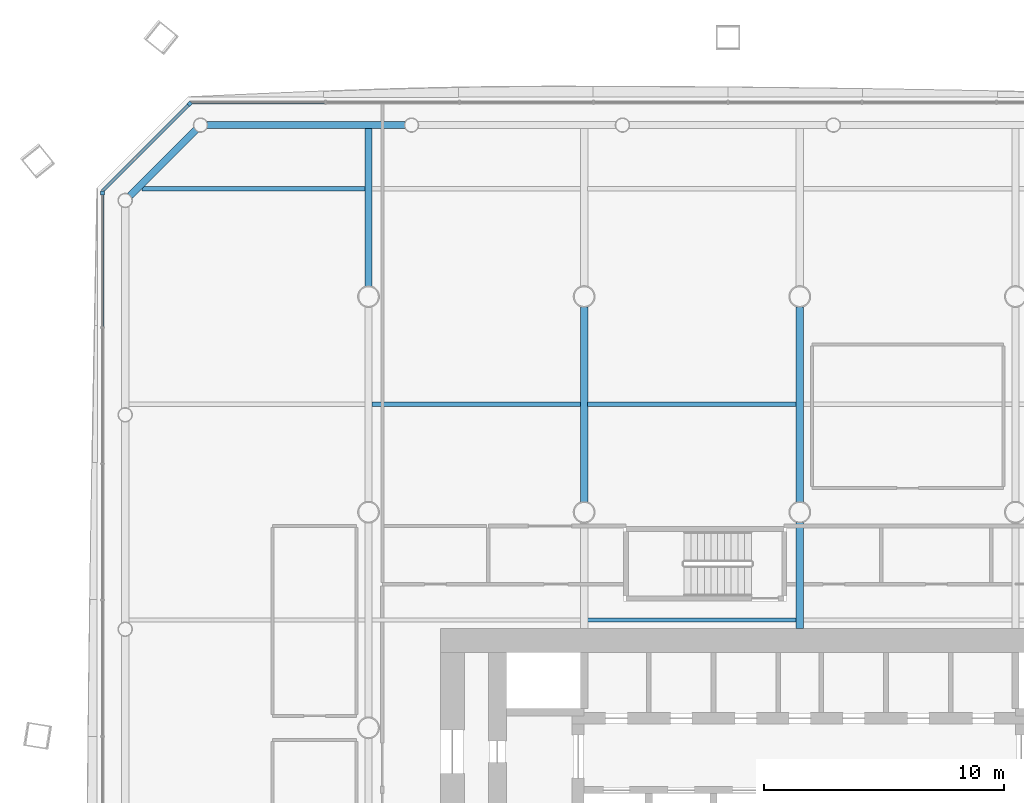
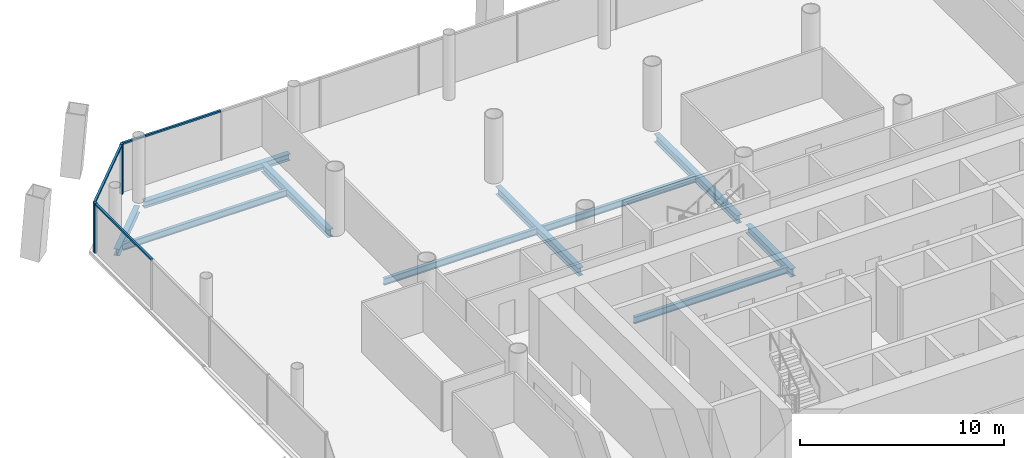
# One storey, part 8 of 20: 10 beams, 5 members, 3 elements without a shape of their own.
"""IFC4 building model written with IfcOpenShell, lengths in metres."""

import ifcopenshell
import ifcopenshell.guid

model = None  # the IFC model being written
_history = None  # IfcOwnerHistory: only IFC2X3 demands one
_inside = {}  # id of a spatial element -> (the spatial element, [elements in it])
_under = {}  # id of a project, library or spatial element -> (it, [spatial elements below it])
_declared = {}  # id of a project -> (the project, [libraries it declares])
_typed = {}  # id of a type object -> (the type object, [elements of that type])
_made_of = {}  # id of a material, layer set ... -> (it, [elements and type objects made of it])


def new_model(schema):
    """Start an empty IFC model of exactly this schema.

    Asked for "IFC4X3", IfcOpenShell would pick the latest addendum, in which some entities
    have other attributes; the version numbers below select the first issue.
    IFC2X3 requires an IfcOwnerHistory on every rooted entity: one is made here for all.
    """
    global model, _history
    if schema == "IFC4X3":
        model = ifcopenshell.file(schema_version=(4, 3, 0, 0))
    else:
        model = ifcopenshell.file(schema=schema)
    _inside.clear()
    _under.clear()
    _declared.clear()
    _typed.clear()
    _made_of.clear()
    _history = None
    if model.schema == "IFC2X3":
        org = make("IfcOrganization", Name="unknown")
        user = make(
            "IfcPersonAndOrganization",
            ThePerson=make("IfcPerson", FamilyName="unknown"),
            TheOrganization=org,
        )
        app = make(
            "IfcApplication",
            ApplicationDeveloper=org,
            Version="unknown",
            ApplicationFullName="unknown",
            ApplicationIdentifier="unknown",
        )
        _history = make(
            "IfcOwnerHistory",
            OwningUser=user,
            OwningApplication=app,
            ChangeAction="ADDED",
            CreationDate=0,
        )
    return model


def make(cls, **values):
    """One entity of the class cls with the attributes given. An attribute that is None is left unset."""
    return model.create_entity(
        cls, **{name: value for name, value in values.items() if value is not None}
    )


def rooted(cls, **values):
    """An entity with a GlobalId (a new one), such as an element, a storey or a relation."""
    return make(cls, GlobalId=ifcopenshell.guid.new(), OwnerHistory=_history, **values)


def si_unit(unit_type, name, prefix=None):
    """IfcSIUnit, for example si_unit("LENGTHUNIT", "METRE", prefix="MILLI")."""
    return make("IfcSIUnit", UnitType=unit_type, Prefix=prefix, Name=name)


def assignment(units):
    """IfcUnitAssignment: the units of a project."""
    return None if units is None else make("IfcUnitAssignment", Units=units)


def point(xyz):
    """IfcCartesianPoint."""
    return None if xyz is None else make("IfcCartesianPoint", Coordinates=xyz)


def direction(xyz):
    """IfcDirection."""
    return None if xyz is None else make("IfcDirection", DirectionRatios=xyz)


def frame(location, z_axis=None, x_axis=None):
    """IfcAxis2Placement3D, a coordinate frame: its origin and axes. An axis left out is left unset."""
    return make(
        "IfcAxis2Placement3D",
        Location=point(location),
        Axis=direction(z_axis),
        RefDirection=direction(x_axis),
    )


def frame_2d(location, x_axis=None):
    """IfcAxis2Placement2D, a coordinate frame in the plane: its origin and x axis."""
    return make(
        "IfcAxis2Placement2D", Location=point(location), RefDirection=direction(x_axis)
    )


def origin():
    """The frame at (0, 0, 0) with its axes left unset."""
    return frame((0.0, 0.0, 0.0))


def origin_2d():
    """The frame at (0, 0) in the plane with its x axis left unset."""
    return frame_2d((0.0, 0.0))


def place(relative_to, where):
    """IfcLocalPlacement: puts the frame where relative to a parent placement (None: the world)."""
    return make(
        "IfcLocalPlacement", PlacementRelTo=relative_to, RelativePlacement=where
    )


def context(
    kind, dimensions, precision=None, world=None, true_north=None, identifier=None
):
    """IfcGeometricRepresentationContext, for example the 3D "Model" context."""
    return make(
        "IfcGeometricRepresentationContext",
        ContextIdentifier=identifier,
        ContextType=kind,
        CoordinateSpaceDimension=dimensions,
        Precision=precision,
        WorldCoordinateSystem=world,
        TrueNorth=true_north,
    )


def subcontext(parent, identifier, kind, view, scale=None):
    """IfcGeometricRepresentationSubContext, for example "Body" below "Model"."""
    return make(
        "IfcGeometricRepresentationSubContext",
        ContextIdentifier=identifier,
        ContextType=kind,
        ParentContext=parent,
        TargetScale=scale,
        TargetView=view,
    )


def project(units=None, contexts=None):
    """IfcProject with its units and contexts."""
    return rooted(
        "IfcProject",
        Name="project",
        RepresentationContexts=contexts,
        UnitsInContext=assignment(units),
    )


def spatial(cls, under=None, at=None, **own):
    """A site, building, storey or space (cls), placed at a placement, below another one or the project."""
    s = rooted(cls, ObjectPlacement=at, **own)
    if under is not None:
        _under.setdefault(under.id(), (under, []))[1].append(s)
    return s


def profile(cls, at=None, kind="AREA", **sizes):
    """A parametric profile (cls). Its sizes go by their IFC names, for example OverallWidth=200.0."""
    return make(cls, ProfileType=kind, Position=at, **sizes)


def rectangle(**sizes):
    """IfcRectangleProfileDef."""
    return profile("IfcRectangleProfileDef", **sizes)


def i_section(**sizes):
    """IfcIShapeProfileDef."""
    return profile("IfcIShapeProfileDef", **sizes)


def extrude(swept, where, along, depth):
    """IfcExtrudedAreaSolid: the profile swept, set in the frame where, extruded along a direction by depth."""
    return make(
        "IfcExtrudedAreaSolid",
        SweptArea=swept,
        Position=where,
        ExtrudedDirection=direction(along),
        Depth=depth,
    )


def shape(context_of_items, identifier, shape_type, items):
    """IfcShapeRepresentation: the items that make up one representation, for example the "Body"."""
    return make(
        "IfcShapeRepresentation",
        ContextOfItems=context_of_items,
        RepresentationIdentifier=identifier,
        RepresentationType=shape_type,
        Items=items,
    )


def material(Name=None, Category=None):
    """IfcMaterial."""
    return make("IfcMaterial", Name=Name, Category=Category)


def material_profile(
    of_material, cross_section, Name=None, Category=None, Priority=None
):
    """IfcMaterialProfile: a cross section and its material."""
    return make(
        "IfcMaterialProfile",
        Name=Name,
        Material=of_material,
        Profile=cross_section,
        Priority=Priority,
        Category=Category,
    )


def profile_set(profiles, Name=None, composite=None):
    """IfcMaterialProfileSet."""
    return make(
        "IfcMaterialProfileSet",
        Name=Name,
        MaterialProfiles=profiles,
        CompositeProfile=composite,
    )


def made_of(thing, what):
    """Note that an element or type object is made of a material, layer set ...; save() writes the relation."""
    if what is not None:
        _made_of.setdefault(what.id(), (what, []))[1].append(thing)
    return thing


def type_object(cls, material=None, **own):
    """A type object (cls), such as IfcWallType, which elements share."""
    return made_of(rooted(cls, **own), material)


def element(
    cls,
    number,
    at=None,
    inside=None,
    cuts=None,
    type_object=None,
    material=None,
    context=None,
    identifier="Body",
    shape_type=None,
    held_by="IfcProductDefinitionShape",
    body=None,
    shapes=None,
    **own,
):
    """One element of the class cls, such as IfcWall. Its Tag is "e" and its number.

    at: its placement. inside: the storey or other place that contains it. cuts: it is an
    opening in that element (IfcRelVoidsElement). A single representation is given by context,
    identifier, shape_type and body (its items); several are given by shapes. held_by: the class
    of the entity that holds the representations. save() writes the other relations.
    """
    e = rooted(cls, Tag="e%d" % number, ObjectPlacement=at, **own)
    if body is not None:
        shapes = [shape(context, identifier, shape_type, body)]
    if shapes is not None:
        e.Representation = make(held_by, Representations=shapes)
    if inside is not None:
        _inside.setdefault(inside.id(), (inside, []))[1].append(e)
    if cuts is not None:
        rooted(
            "IfcRelVoidsElement", RelatingBuildingElement=cuts, RelatedOpeningElement=e
        )
    if type_object is not None:
        _typed.setdefault(type_object.id(), (type_object, []))[1].append(e)
    return made_of(e, material)


def aggregate(whole, parts):
    """IfcRelAggregates: a whole, such as a stair, and the parts it consists of."""
    return rooted("IfcRelAggregates", RelatingObject=whole, RelatedObjects=parts)


def save(model, path):
    """Write the relations noted so far, then the file.

    IfcRelAggregates (storeys below a building ...), IfcRelContainedInSpatialStructure (elements
    in a storey), IfcRelDefinesByType, IfcRelAssociatesMaterial and IfcRelDeclares: one each for
    every whole, place, type object, material and project.
    """
    for whole, parts in _under.values():
        aggregate(whole, parts)
    for where, things in _inside.values():
        rooted(
            "IfcRelContainedInSpatialStructure",
            RelatedElements=things,
            RelatingStructure=where,
        )
    for kind, things in _typed.values():
        rooted("IfcRelDefinesByType", RelatedObjects=things, RelatingType=kind)
    for what, things in _made_of.values():
        rooted("IfcRelAssociatesMaterial", RelatedObjects=things, RelatingMaterial=what)
    for by, libraries in _declared.values():
        rooted("IfcRelDeclares", RelatingContext=by, RelatedDefinitions=libraries)
    model.write(path)


model = new_model("IFC4")

# Units and contexts
model_context = context("Model", 3, precision=1e-05, world=origin(), true_north=direction((0.0, 1.0)))
body_context = subcontext(model_context, "Body", "Model", "MODEL_VIEW")
ifc_project = project(units=[si_unit("LENGTHUNIT", "METRE"), si_unit("AREAUNIT", "SQUARE_METRE"), si_unit("VOLUMEUNIT", "CUBIC_METRE"), si_unit("PLANEANGLEUNIT", "RADIAN"), si_unit("MASSUNIT", "GRAM", prefix="KILO")], contexts=[model_context])

# Site, building, storey
site_placement = place(None, origin())
site = spatial("IfcSite", under=ifc_project, at=site_placement, CompositionType="ELEMENT")
building_placement = place(site_placement, origin())
building = spatial("IfcBuilding", under=site, at=building_placement, Name="Tskaro Facet Tower", CompositionType="ELEMENT")
storey_placement = place(building_placement, frame((0.0, 0.0, 53.699951171875)))
storey = spatial("IfcBuildingStorey", under=building, at=storey_placement, Name="L12", CompositionType="ELEMENT", Elevation=53.699951171875)

# Curtain wall, member
ifc_material_1 = material(Name="Bronze anodised aluminium 6063-T6", Category="aluminium")
curtain_wall_type = type_object("IfcCurtainWallType", Name="Bronze office curtain wall (FW1)", PredefinedType="NOTDEFINED", material=ifc_material_1)
curtain_wall_1_placement = place(storey_placement, origin())
curtain_wall_1 = element("IfcCurtainWall", 1, at=curtain_wall_1_placement, inside=storey, type_object=curtain_wall_type, Name="FW1 north-west facet L12", PredefinedType="NOTDEFINED")
ifc_material_profile_1 = material_profile(ifc_material_1, rectangle(XDim=0.159912109375, YDim=0.159912109375, at=origin_2d()), Name="Corner post 160x160")
ifc_profile_set_1 = profile_set([ifc_material_profile_1], Name="Bronze anodised aluminium 6063-T6")
member_type_1 = type_object("IfcMemberType", Name="FW1 bronze corner post 160x160", PredefinedType="MULLION", material=ifc_profile_set_1)
member_1_placement = place(storey_placement, frame((-25.461669921875, 26.050537109375, 0.0), z_axis=(0.0, 0.0, 1.0), x_axis=(-0.707106781187, -0.707106781187, 0.0)))
member_1 = element("IfcMember", 2, at=member_1_placement, type_object=member_type_1, Name="FW1 north-west corner post", PredefinedType="MULLION", context=body_context, shape_type="SweptSolid", body=[
    extrude(rectangle(XDim=0.159912109375, YDim=0.159912109375, at=origin_2d()), origin(), (0.0, 0.0, 1.0), 2.989990234375),
])

curtain_wall_2_placement = place(storey_placement, origin())
curtain_wall_2 = element("IfcCurtainWall", 3, at=curtain_wall_2_placement, inside=storey, type_object=curtain_wall_type, Name="FW1 west facet L12", PredefinedType="NOTDEFINED")
member_2_placement = place(storey_placement, frame((-29.10693359375, 22.324951171875, 0.0), z_axis=(0.0, 0.0, 1.0), x_axis=(0.0, -1.0, 0.0)))
member_2 = element("IfcMember", 4, at=member_2_placement, type_object=member_type_1, Name="FW1 west corner post", PredefinedType="MULLION", context=body_context, shape_type="SweptSolid", body=[
    extrude(rectangle(XDim=0.159912109375, YDim=0.159912109375, at=origin_2d()), origin(), (0.0, 0.0, 1.0), 2.989990234375),
])

curtain_wall_3_placement = place(storey_placement, origin())
curtain_wall_3 = element("IfcCurtainWall", 5, at=curtain_wall_3_placement, inside=storey, type_object=curtain_wall_type, Name="FW1 north facet L12", PredefinedType="NOTDEFINED")
ifc_material_profile_2 = material_profile(ifc_material_1, rectangle(XDim=0.1201171875, YDim=0.10009765625, at=origin_2d()), Name="Transom 120x100")
ifc_profile_set_2 = profile_set([ifc_material_profile_2], Name="Bronze anodised aluminium 6063-T6")
member_type_2 = type_object("IfcMemberType", Name="FW1 bronze transom 120x100", PredefinedType="USERDEFINED", material=ifc_profile_set_2)
member_3_placement = place(storey_placement, frame((-19.833740234375, 26.10693359375, 2.93994140625), z_axis=(-1.0, 0.0, 0.0), x_axis=(0.0, -1.0, 0.0)))
member_3 = element("IfcMember", 6, at=member_3_placement, type_object=member_type_2, Name="FW1 north transom 8.1", ObjectType="TRANSOM", PredefinedType="USERDEFINED", context=body_context, shape_type="SweptSolid", body=[
    extrude(rectangle(XDim=0.1201171875, YDim=0.10009765625, at=origin_2d()), origin(), (0.0, 0.0, 1.0), 5.5712890625),
])
aggregate(curtain_wall_3, [member_3])

# Member
member_4_placement = place(storey_placement, frame((-25.51806640625, 25.993896484375, 2.93994140625), z_axis=(-0.707106781187, -0.707106781187, 0.0), x_axis=(0.707106781187, -0.707106781187, 0.0)))
member_4 = element("IfcMember", 7, at=member_4_placement, type_object=member_type_2, Name="FW1 north-west transom 1.1", ObjectType="TRANSOM", PredefinedType="USERDEFINED", context=body_context, shape_type="SweptSolid", body=[
    extrude(rectangle(XDim=0.1201171875, YDim=0.10009765625, at=origin_2d()), origin(), (0.0, 0.0, 1.0), 5.075439453125),
])

aggregate(curtain_wall_1, [member_1, member_4])

member_5_placement = place(storey_placement, frame((-29.10693359375, 22.2451171875, 2.93994140625), z_axis=(0.0, -1.0, 0.0), x_axis=(1.0, 0.0, 0.0)))
member_5 = element("IfcMember", 8, at=member_5_placement, type_object=member_type_2, Name="FW1 west transom 1.1", ObjectType="TRANSOM", PredefinedType="USERDEFINED", context=body_context, shape_type="SweptSolid", body=[
    extrude(rectangle(XDim=0.1201171875, YDim=0.10009765625, at=origin_2d()), origin(), (0.0, 0.0, 1.0), 5.5009765625),
])

aggregate(curtain_wall_2, [member_2, member_5])

# Beams
ifc_material_2 = material(Name="Steel S355J2", Category="steel")
ifc_material_profile_3 = material_profile(ifc_material_2, i_section(OverallWidth=0.300048828125, OverallDepth=0.39990234375, WebThickness=0.013427734375, FlangeThickness=0.02392578125, FilletRadius=0.027099609375, at=origin_2d()), Name="HE 400 B")
ifc_profile_set_3 = profile_set([ifc_material_profile_3], Name="Steel S355J2")
beam_type_1 = type_object("IfcBeamType", Name="HE 400 B ring beam", PredefinedType="BEAM", material=ifc_profile_set_3)
beam_1_placement = place(storey_placement, frame((-16.48193359375, 25.156982421875, -0.33984375), z_axis=(-1.0, 0.0, 0.0), x_axis=(0.0, -1.0, 0.0)))
element("IfcBeam", 9, at=beam_1_placement, inside=storey, type_object=beam_type_1, Name="HE 400 B EB18-1", PredefinedType="BEAM", context=body_context, shape_type="SweptSolid", body=[
    extrude(i_section(OverallWidth=0.300048828125, OverallDepth=0.39990234375, WebThickness=0.013427734375, FlangeThickness=0.02392578125, FilletRadius=0.027099609375, at=origin_2d()), origin(), (0.0, 0.0, 1.0), 8.255126953125),
])
beam_2_placement = place(storey_placement, frame((-25.20654296875, 24.962646484375, -0.33984375), z_axis=(-0.707106781187, -0.707106781187, 0.0), x_axis=(0.707106781187, -0.707106781187, 0.0)))
element("IfcBeam", 10, at=beam_2_placement, inside=storey, type_object=beam_type_1, Name="HE 400 B EB19-1", PredefinedType="BEAM", context=body_context, shape_type="SweptSolid", body=[
    extrude(i_section(OverallWidth=0.300048828125, OverallDepth=0.39990234375, WebThickness=0.013427734375, FlangeThickness=0.02392578125, FilletRadius=0.027099609375, at=origin_2d()), origin(), (0.0, 0.0, 1.0), 3.897705078125),
])
ifc_material_profile_4 = material_profile(ifc_material_2, i_section(OverallWidth=0.300048828125, OverallDepth=0.489990234375, WebThickness=0.011962890625, FlangeThickness=0.02294921875, FilletRadius=0.027099609375, at=origin_2d()), Name="HE 500 A")
ifc_profile_set_4 = profile_set([ifc_material_profile_4], Name="Steel S355J2")
beam_type_2 = type_object("IfcBeamType", Name="HE 500 A girder", PredefinedType="BEAM", material=ifc_profile_set_4)
beam_3_placement = place(storey_placement, frame((-18.0, 18.42724609375, -0.385009765625), z_axis=(0.0, 1.0, 0.0), x_axis=(-1.0, 0.0, 0.0)))
element("IfcBeam", 11, at=beam_3_placement, inside=storey, type_object=beam_type_2, Name="HE 500 A GB2-6-1", PredefinedType="BEAM", context=body_context, shape_type="SweptSolid", body=[
    extrude(i_section(OverallWidth=0.300048828125, OverallDepth=0.489990234375, WebThickness=0.011962890625, FlangeThickness=0.02294921875, FilletRadius=0.027099609375, at=origin_2d()), origin(), (0.0, 0.0, 1.0), 6.579833984375),
])
beam_4_placement = place(storey_placement, frame((-9.0, 9.42724609375, -0.385009765625), z_axis=(0.0, 1.0, 0.0), x_axis=(-1.0, 0.0, 0.0)))
element("IfcBeam", 12, at=beam_4_placement, inside=storey, type_object=beam_type_2, Name="HE 500 A GB3-4-1", PredefinedType="BEAM", context=body_context, shape_type="SweptSolid", body=[
    extrude(i_section(OverallWidth=0.300048828125, OverallDepth=0.489990234375, WebThickness=0.011962890625, FlangeThickness=0.02294921875, FilletRadius=0.027099609375, at=origin_2d()), origin(), (0.0, 0.0, 1.0), 8.1455078125),
])
beam_5_placement = place(storey_placement, frame((0.0, 4.14990234375, -0.385009765625), z_axis=(0.0, 1.0, 0.0), x_axis=(-1.0, 0.0, 0.0)))
element("IfcBeam", 13, at=beam_5_placement, inside=storey, type_object=beam_type_2, Name="HE 500 A GB4-3-1", PredefinedType="BEAM", context=body_context, shape_type="SweptSolid", body=[
    extrude(i_section(OverallWidth=0.300048828125, OverallDepth=0.489990234375, WebThickness=0.011962890625, FlangeThickness=0.02294921875, FilletRadius=0.027099609375, at=origin_2d()), origin(), (0.0, 0.0, 1.0), 4.4228515625),
])
beam_6_placement = place(storey_placement, frame((0.0, 9.42724609375, -0.385009765625), z_axis=(0.0, 1.0, 0.0), x_axis=(-1.0, 0.0, 0.0)))
element("IfcBeam", 14, at=beam_6_placement, inside=storey, type_object=beam_type_2, Name="HE 500 A GB4-4-1", PredefinedType="BEAM", context=body_context, shape_type="SweptSolid", body=[
    extrude(i_section(OverallWidth=0.300048828125, OverallDepth=0.489990234375, WebThickness=0.011962890625, FlangeThickness=0.02294921875, FilletRadius=0.027099609375, at=origin_2d()), origin(), (0.0, 0.0, 1.0), 8.1455078125),
])
ifc_material_profile_5 = material_profile(ifc_material_2, i_section(OverallWidth=0.179931640625, OverallDepth=0.39990234375, WebThickness=0.008544921875, FlangeThickness=0.013427734375, FilletRadius=0.02099609375, at=origin_2d()), Name="IPE 400")
ifc_profile_set_5 = profile_set([ifc_material_profile_5], Name="Steel S355J2")
beam_type_3 = type_object("IfcBeamType", Name="IPE 400 secondary beam", PredefinedType="BEAM", material=ifc_profile_set_5)
for number, where, z_axis, x_axis, name in (
    (15, (-8.85009765625, 4.5, -0.33984375), (1.0, 0.0, 0.0), (0.0, 1.0, 0.0), "IPE 400 SB4a-3-1"),
    (16, (-17.85009765625, 13.5, -0.33984375), (1.0, 0.0, 0.0), (0.0, 1.0, 0.0), "IPE 400 SB5a-2-1"),
    (17, (-8.85009765625, 13.5, -0.33984375), (1.0, 0.0, 0.0), (0.0, 1.0, 0.0), "IPE 400 SB5a-3-1"),
):
    element("IfcBeam", number, at=place(storey_placement, frame(where, z_axis=z_axis, x_axis=x_axis)), inside=storey, type_object=beam_type_3, Name=name, PredefinedType="BEAM", context=body_context, shape_type="SweptSolid", body=[
        extrude(i_section(OverallWidth=0.179931640625, OverallDepth=0.39990234375, WebThickness=0.008544921875, FlangeThickness=0.013427734375, FilletRadius=0.02099609375, at=origin_2d()), origin(), (0.0, 0.0, 1.0), 8.7001953125),
    ])
beam_7_placement = place(storey_placement, frame((-27.45703125, 22.5, -0.33984375), z_axis=(1.0, 0.0, 0.0), x_axis=(0.0, 1.0, 0.0)))
element("IfcBeam", 18, at=beam_7_placement, inside=storey, type_object=beam_type_3, Name="IPE 400 SB6a-1-1", PredefinedType="BEAM", context=body_context, shape_type="SweptSolid", body=[
    extrude(i_section(OverallWidth=0.179931640625, OverallDepth=0.39990234375, WebThickness=0.008544921875, FlangeThickness=0.013427734375, FilletRadius=0.02099609375, at=origin_2d()), origin(), (0.0, 0.0, 1.0), 9.30712890625),
])

save(model, "model.ifc")
